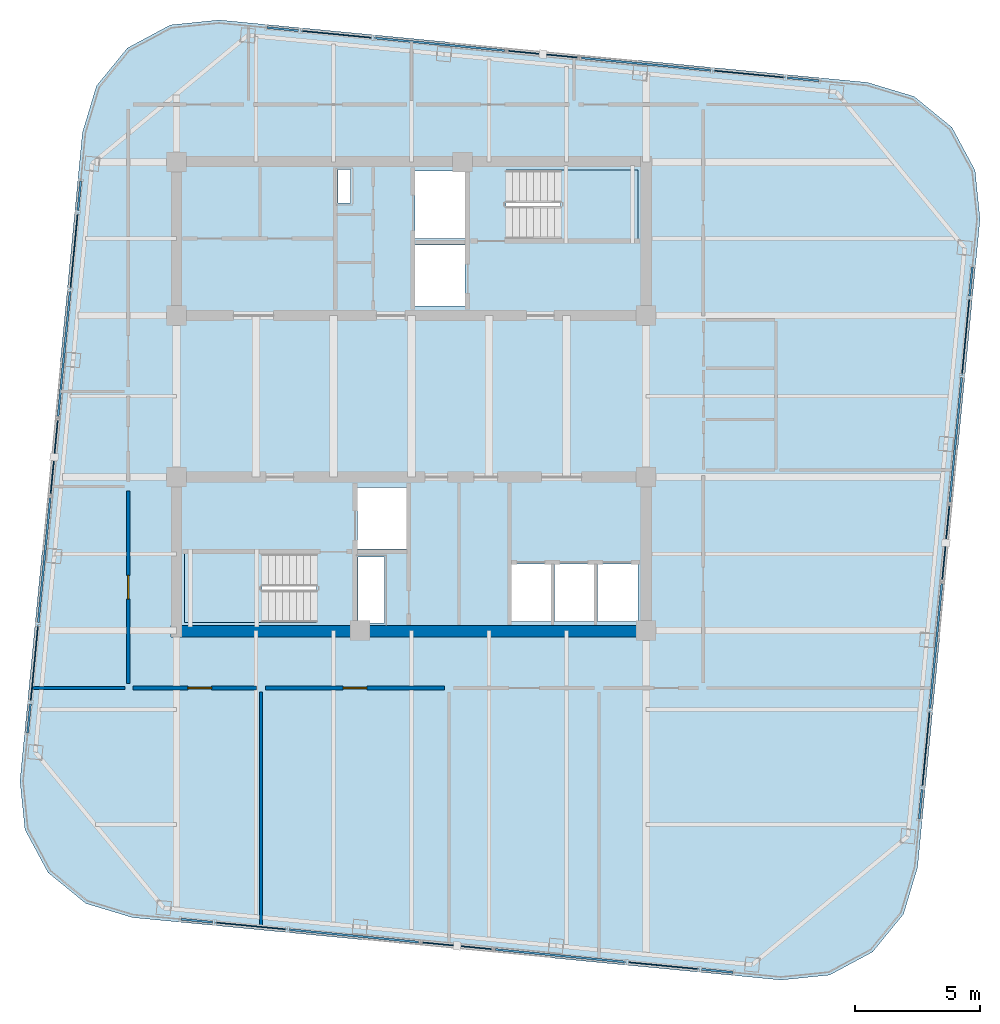
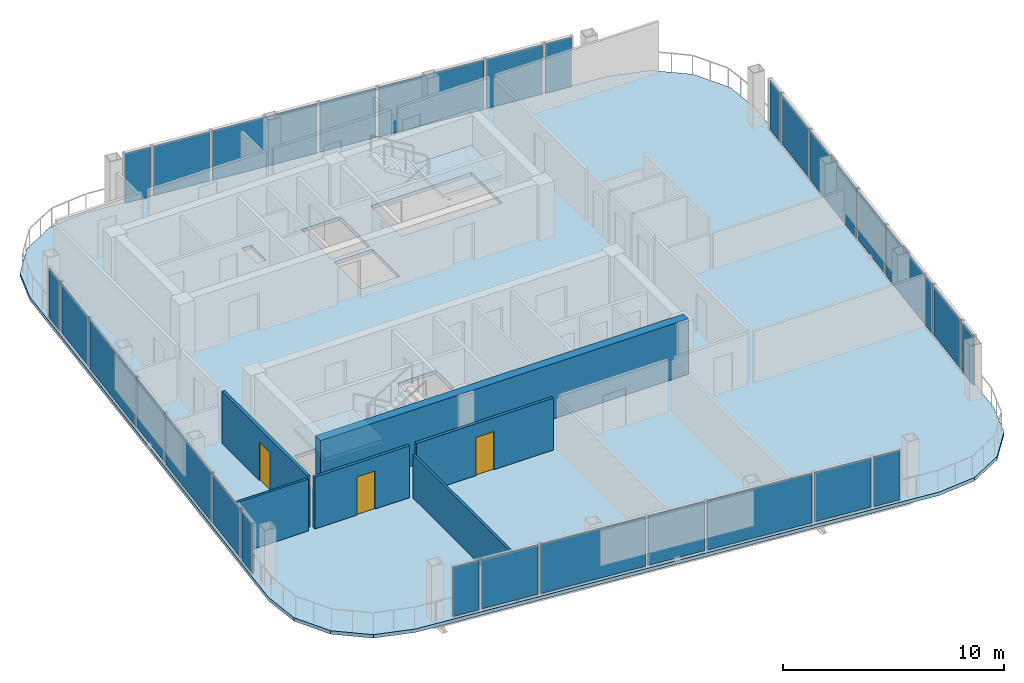
# One storey, part 16 of 23: 28 plates, 6 walls, 3 doors, 3 slabs, 3 openings, 30 elements without a shape of their own.
"""IFC4 building model written with IfcOpenShell, lengths in metres."""

from ifc_helpers import new_model, si_unit, direction, frame, frame_2d, origin, origin_2d, place, context, subcontext, project, spatial, polyline, rectangle, outline, extrude, material, layer, layer_set, type_object, element, fill, aggregate, save


model = new_model("IFC4")

# Units and contexts
model_context = context("Model", 3, precision=1e-05, world=origin(), true_north=direction((0.0, 1.0)))
body_context = subcontext(model_context, "Body", "Model", "MODEL_VIEW")
ifc_project = project(units=[si_unit("LENGTHUNIT", "METRE"), si_unit("AREAUNIT", "SQUARE_METRE"), si_unit("VOLUMEUNIT", "CUBIC_METRE"), si_unit("PLANEANGLEUNIT", "RADIAN"), si_unit("MASSUNIT", "GRAM", prefix="KILO")], contexts=[model_context])

# Site, building, storey
site_placement = place(None, origin())
site = spatial("IfcSite", under=ifc_project, at=site_placement, CompositionType="ELEMENT")
building_placement = place(site_placement, origin())
building = spatial("IfcBuilding", under=site, at=building_placement, Name="Qhalaya Broadcast Tower", CompositionType="ELEMENT")
storey_placement = place(building_placement, frame((0.0, 0.0, 261.14990234375)))
storey = spatial("IfcBuildingStorey", under=building, at=storey_placement, Name="L77", CompositionType="ELEMENT", Elevation=261.14990234375)

# Curtain wall, plate
ifc_material_1 = material(Name="Fired Architectural Terracotta", Category="masonry")
ifc_layer_1 = layer(ifc_material_1, 0.219970703125, Name="Fired Architectural Terracotta")
ifc_layer_set_1 = layer_set([ifc_layer_1], Name="Fired Architectural Terracotta")
curtain_wall_type_1 = type_object("IfcCurtainWallType", Name="Block-Cap Unitised Terracotta Spandrel Wall CW-07", PredefinedType="NOTDEFINED", material=ifc_layer_set_1)
curtain_wall_1_placement = place(storey_placement, origin())
curtain_wall_1 = element("IfcCurtainWall", 1, at=curtain_wall_1_placement, inside=storey, type_object=curtain_wall_type_1, Name="L77 Unitised Curtain Wall L77-CW-S1", PredefinedType="NOTDEFINED")
ifc_layer_2 = layer(ifc_material_1, 0.080078125, Name="Fired Architectural Terracotta")
ifc_layer_set_2 = layer_set([ifc_layer_2], Name="Fired Architectural Terracotta")
plate_type_1 = type_object("IfcPlateType", Name="Insulated Terracotta Spandrel Panel TSP-07", PredefinedType="CURTAIN_PANEL", material=ifc_layer_set_2)
plate_1_placement = place(storey_placement, frame((-8.564697265625, -20.337158203125, 0.0751953125), z_axis=(0.0, 0.0, 1.0), x_axis=(0.995396007008, -0.095847739846, 0.0)))
plate_1 = element("IfcPlate", 2, at=plate_1_placement, type_object=plate_type_1, Name="CW-07 panel 1.1", PredefinedType="CURTAIN_PANEL", context=body_context, shape_type="SweptSolid", body=[
    extrude(rectangle(XDim=1.27197265625, YDim=0.080078125, at=origin_2d()), origin(), (0.0, 0.0, 1.0), 2.7099609375),
])
aggregate(curtain_wall_1, [plate_1])

curtain_wall_2_placement = place(storey_placement, origin())
curtain_wall_2 = element("IfcCurtainWall", 3, at=curtain_wall_2_placement, inside=storey, type_object=curtain_wall_type_1, Name="L77 Unitised Curtain Wall L77-CW-S3", PredefinedType="NOTDEFINED")
plate_2_placement = place(storey_placement, frame((-2.2880859375, -20.941650390625, 0.0751953125), z_axis=(0.0, 0.0, 1.0), x_axis=(0.995396263968, -0.095845071223, 0.0)))
plate_2 = element("IfcPlate", 4, at=plate_2_placement, type_object=plate_type_1, Name="CW-07 panel 1.1", PredefinedType="CURTAIN_PANEL", context=body_context, shape_type="SweptSolid", body=[
    extrude(rectangle(XDim=5.193115234375, YDim=0.080078125, at=origin_2d()), origin(), (0.0, 0.0, 1.0), 2.7099609375),
])
aggregate(curtain_wall_2, [plate_2])

curtain_wall_3_placement = place(storey_placement, origin())
curtain_wall_3 = element("IfcCurtainWall", 5, at=curtain_wall_3_placement, inside=storey, type_object=curtain_wall_type_1, Name="L77 Unitised Curtain Wall L77-CW-S5", PredefinedType="NOTDEFINED")
plate_3_placement = place(storey_placement, frame((5.940673828125, -21.73388671875, 0.0751953125), z_axis=(0.0, 0.0, 1.0), x_axis=(0.995396263968, -0.095845071223, 0.0)))
plate_3 = element("IfcPlate", 6, at=plate_3_placement, type_object=plate_type_1, Name="CW-07 panel 1.1", PredefinedType="CURTAIN_PANEL", context=body_context, shape_type="SweptSolid", body=[
    extrude(rectangle(XDim=5.193115234375, YDim=0.080078125, at=origin_2d()), origin(), (0.0, 0.0, 1.0), 2.7099609375),
])
aggregate(curtain_wall_3, [plate_3])

curtain_wall_4_placement = place(storey_placement, origin())
curtain_wall_4 = element("IfcCurtainWall", 7, at=curtain_wall_4_placement, inside=storey, type_object=curtain_wall_type_1, Name="L77 Unitised Curtain Wall L77-CW-S7", PredefinedType="NOTDEFINED")
plate_4_placement = place(storey_placement, frame((12.21728515625, -22.338134765625, 0.0751953125), z_axis=(0.0, 0.0, 1.0), x_axis=(0.995395360914, -0.095854449411, 0.0)))
plate_4 = element("IfcPlate", 8, at=plate_4_placement, type_object=plate_type_1, Name="CW-07 panel 1.1", PredefinedType="CURTAIN_PANEL", context=body_context, shape_type="SweptSolid", body=[
    extrude(rectangle(XDim=1.27197265625, YDim=0.080078125, at=origin_2d()), origin(), (0.0, 0.0, 1.0), 2.7099609375),
])
aggregate(curtain_wall_4, [plate_4])

curtain_wall_5_placement = place(storey_placement, origin())
curtain_wall_5 = element("IfcCurtainWall", 9, at=curtain_wall_5_placement, inside=storey, type_object=curtain_wall_type_1, Name="L77 Unitised Curtain Wall L77-CW-E1", PredefinedType="NOTDEFINED")
plate_5_placement = place(storey_placement, frame((20.332763671875, -15.69140625, 0.0751953125), z_axis=(0.0, 0.0, 1.0), x_axis=(0.095857322215, 0.995395084264, 0.0)))
plate_5 = element("IfcPlate", 10, at=plate_5_placement, type_object=plate_type_1, Name="CW-07 panel 1.1", PredefinedType="CURTAIN_PANEL", context=body_context, shape_type="SweptSolid", body=[
    extrude(rectangle(XDim=1.177978515625, YDim=0.080078125, at=origin_2d()), origin(), (0.0, 0.0, 1.0), 2.7099609375),
])
aggregate(curtain_wall_5, [plate_5])

curtain_wall_6_placement = place(storey_placement, origin())
curtain_wall_6 = element("IfcCurtainWall", 11, at=curtain_wall_6_placement, inside=storey, type_object=curtain_wall_type_1, Name="L77 Unitised Curtain Wall L77-CW-E3", PredefinedType="NOTDEFINED")
plate_6_placement = place(storey_placement, frame((20.941650390625, -9.3681640625, 0.0751953125), z_axis=(0.0, 0.0, 1.0), x_axis=(0.095851335452, 0.995395660776, 0.0)))
plate_6 = element("IfcPlate", 12, at=plate_6_placement, type_object=plate_type_1, Name="CW-07 panel 1.1", PredefinedType="CURTAIN_PANEL", context=body_context, shape_type="SweptSolid", body=[
    extrude(rectangle(XDim=5.0068359375, YDim=0.080078125, at=origin_2d()), origin(), (0.0, 0.0, 1.0), 2.7099609375),
])
aggregate(curtain_wall_6, [plate_6])

curtain_wall_7_placement = place(storey_placement, origin())
curtain_wall_7 = element("IfcCurtainWall", 13, at=curtain_wall_7_placement, inside=storey, type_object=curtain_wall_type_1, Name="L77 Unitised Curtain Wall L77-CW-E5", PredefinedType="NOTDEFINED")
plate_7_placement = place(storey_placement, frame((21.73388671875, -1.13916015625, 0.0751953125), z_axis=(0.0, 0.0, 1.0), x_axis=(0.095849485357, 0.995395838929, 0.0)))
plate_7 = element("IfcPlate", 14, at=plate_7_placement, type_object=plate_type_1, Name="CW-07 panel 1.1", PredefinedType="CURTAIN_PANEL", context=body_context, shape_type="SweptSolid", body=[
    extrude(rectangle(XDim=5.007080078125, YDim=0.080078125, at=origin_2d()), origin(), (0.0, 0.0, 1.0), 2.7099609375),
])
aggregate(curtain_wall_7, [plate_7])

curtain_wall_8_placement = place(storey_placement, origin())
curtain_wall_8 = element("IfcCurtainWall", 15, at=curtain_wall_8_placement, inside=storey, type_object=curtain_wall_type_1, Name="L77 Unitised Curtain Wall L77-CW-E7", PredefinedType="NOTDEFINED")
plate_8_placement = place(storey_placement, frame((22.3427734375, 5.183837890625, 0.0751953125), z_axis=(0.0, 0.0, 1.0), x_axis=(0.095857322215, 0.995395084264, 0.0)))
plate_8 = element("IfcPlate", 16, at=plate_8_placement, type_object=plate_type_1, Name="CW-07 panel 1.1", PredefinedType="CURTAIN_PANEL", context=body_context, shape_type="SweptSolid", body=[
    extrude(rectangle(XDim=1.177978515625, YDim=0.080078125, at=origin_2d()), origin(), (0.0, 0.0, 1.0), 2.7099609375),
])
aggregate(curtain_wall_8, [plate_8])

curtain_wall_9_placement = place(storey_placement, origin())
curtain_wall_9 = element("IfcCurtainWall", 17, at=curtain_wall_9_placement, inside=storey, type_object=curtain_wall_type_1, Name="L77 Unitised Curtain Wall L77-CW-N1", PredefinedType="NOTDEFINED")
plate_9_placement = place(storey_placement, frame((15.64453125, 13.257080078125, 0.0751953125), z_axis=(0.0, 0.0, 1.0), x_axis=(-0.995396007008, 0.095847739846, 0.0)))
plate_9 = element("IfcPlate", 18, at=plate_9_placement, type_object=plate_type_1, Name="CW-07 panel 1.1", PredefinedType="CURTAIN_PANEL", context=body_context, shape_type="SweptSolid", body=[
    extrude(rectangle(XDim=1.27197265625, YDim=0.080078125, at=origin_2d()), origin(), (0.0, 0.0, 1.0), 2.7099609375),
])
aggregate(curtain_wall_9, [plate_9])

curtain_wall_10_placement = place(storey_placement, origin())
curtain_wall_10 = element("IfcCurtainWall", 19, at=curtain_wall_10_placement, inside=storey, type_object=curtain_wall_type_1, Name="L77 Unitised Curtain Wall L77-CW-N3", PredefinedType="NOTDEFINED")
plate_10_placement = place(storey_placement, frame((9.3681640625, 13.861572265625, 0.0751953125), z_axis=(0.0, 0.0, 1.0), x_axis=(-0.995396263968, 0.095845071223, 0.0)))
plate_10 = element("IfcPlate", 20, at=plate_10_placement, type_object=plate_type_1, Name="CW-07 panel 1.1", PredefinedType="CURTAIN_PANEL", context=body_context, shape_type="SweptSolid", body=[
    extrude(rectangle(XDim=5.193115234375, YDim=0.080078125, at=origin_2d()), origin(), (0.0, 0.0, 1.0), 2.7099609375),
])
aggregate(curtain_wall_10, [plate_10])

curtain_wall_11_placement = place(storey_placement, origin())
curtain_wall_11 = element("IfcCurtainWall", 21, at=curtain_wall_11_placement, inside=storey, type_object=curtain_wall_type_1, Name="L77 Unitised Curtain Wall L77-CW-N5", PredefinedType="NOTDEFINED")
plate_11_placement = place(storey_placement, frame((1.139404296875, 14.65380859375, 0.0751953125), z_axis=(0.0, 0.0, 1.0), x_axis=(-0.995396263968, 0.095845071223, 0.0)))
plate_11 = element("IfcPlate", 22, at=plate_11_placement, type_object=plate_type_1, Name="CW-07 panel 1.1", PredefinedType="CURTAIN_PANEL", context=body_context, shape_type="SweptSolid", body=[
    extrude(rectangle(XDim=5.193115234375, YDim=0.080078125, at=origin_2d()), origin(), (0.0, 0.0, 1.0), 2.7099609375),
])
aggregate(curtain_wall_11, [plate_11])

curtain_wall_12_placement = place(storey_placement, origin())
curtain_wall_12 = element("IfcCurtainWall", 23, at=curtain_wall_12_placement, inside=storey, type_object=curtain_wall_type_1, Name="L77 Unitised Curtain Wall L77-CW-N7", PredefinedType="NOTDEFINED")
plate_12_placement = place(storey_placement, frame((-5.13720703125, 15.25830078125, 0.0751953125), z_axis=(0.0, 0.0, 1.0), x_axis=(-0.995395360914, 0.095854449411, 0.0)))
plate_12 = element("IfcPlate", 24, at=plate_12_placement, type_object=plate_type_1, Name="CW-07 panel 1.1", PredefinedType="CURTAIN_PANEL", context=body_context, shape_type="SweptSolid", body=[
    extrude(rectangle(XDim=1.27197265625, YDim=0.080078125, at=origin_2d()), origin(), (0.0, 0.0, 1.0), 2.7099609375),
])
aggregate(curtain_wall_12, [plate_12])

curtain_wall_13_placement = place(storey_placement, origin())
curtain_wall_13 = element("IfcCurtainWall", 25, at=curtain_wall_13_placement, inside=storey, type_object=curtain_wall_type_1, Name="L77 Unitised Curtain Wall L77-CW-W1", PredefinedType="NOTDEFINED")
plate_13_placement = place(storey_placement, frame((-13.252685546875, 8.611328125, 0.0751953125), z_axis=(0.0, 0.0, 1.0), x_axis=(-0.095857322215, -0.995395084264, 0.0)))
plate_13 = element("IfcPlate", 26, at=plate_13_placement, type_object=plate_type_1, Name="CW-07 panel 1.1", PredefinedType="CURTAIN_PANEL", context=body_context, shape_type="SweptSolid", body=[
    extrude(rectangle(XDim=1.177978515625, YDim=0.080078125, at=origin_2d()), origin(), (0.0, 0.0, 1.0), 2.7099609375),
])
aggregate(curtain_wall_13, [plate_13])

curtain_wall_14_placement = place(storey_placement, origin())
curtain_wall_14 = element("IfcCurtainWall", 27, at=curtain_wall_14_placement, inside=storey, type_object=curtain_wall_type_1, Name="L77 Unitised Curtain Wall L77-CW-W3", PredefinedType="NOTDEFINED")
plate_14_placement = place(storey_placement, frame((-13.861572265625, 2.2880859375, 0.0751953125), z_axis=(0.0, 0.0, 1.0), x_axis=(-0.095851335452, -0.995395660776, 0.0)))
plate_14 = element("IfcPlate", 28, at=plate_14_placement, type_object=plate_type_1, Name="CW-07 panel 1.1", PredefinedType="CURTAIN_PANEL", context=body_context, shape_type="SweptSolid", body=[
    extrude(rectangle(XDim=5.0068359375, YDim=0.080078125, at=origin_2d()), origin(), (0.0, 0.0, 1.0), 2.7099609375),
])
aggregate(curtain_wall_14, [plate_14])

curtain_wall_15_placement = place(storey_placement, origin())
curtain_wall_15 = element("IfcCurtainWall", 29, at=curtain_wall_15_placement, inside=storey, type_object=curtain_wall_type_1, Name="L77 Unitised Curtain Wall L77-CW-W5", PredefinedType="NOTDEFINED")
plate_15_placement = place(storey_placement, frame((-14.65380859375, -5.940673828125, 0.0751953125), z_axis=(0.0, 0.0, 1.0), x_axis=(-0.095849485357, -0.995395838929, 0.0)))
plate_15 = element("IfcPlate", 30, at=plate_15_placement, type_object=plate_type_1, Name="CW-07 panel 1.1", PredefinedType="CURTAIN_PANEL", context=body_context, shape_type="SweptSolid", body=[
    extrude(rectangle(XDim=5.007080078125, YDim=0.080078125, at=origin_2d()), origin(), (0.0, 0.0, 1.0), 2.7099609375),
])
aggregate(curtain_wall_15, [plate_15])

curtain_wall_16_placement = place(storey_placement, origin())
curtain_wall_16 = element("IfcCurtainWall", 31, at=curtain_wall_16_placement, inside=storey, type_object=curtain_wall_type_1, Name="L77 Unitised Curtain Wall L77-CW-W7", PredefinedType="NOTDEFINED")
plate_16_placement = place(storey_placement, frame((-15.2626953125, -12.263916015625, 0.0751953125), z_axis=(0.0, 0.0, 1.0), x_axis=(-0.095857322215, -0.995395084264, 0.0)))
plate_16 = element("IfcPlate", 32, at=plate_16_placement, type_object=plate_type_1, Name="CW-07 panel 1.1", PredefinedType="CURTAIN_PANEL", context=body_context, shape_type="SweptSolid", body=[
    extrude(rectangle(XDim=1.177978515625, YDim=0.080078125, at=origin_2d()), origin(), (0.0, 0.0, 1.0), 2.7099609375),
])
aggregate(curtain_wall_16, [plate_16])

ifc_material_2 = material(Name="Solar-Control Low-E Triple Glazing", Category="glass")
ifc_layer_3 = layer(ifc_material_2, 0.219970703125, Name="Solar-Control Low-E Triple Glazing")
ifc_layer_set_3 = layer_set([ifc_layer_3], Name="Solar-Control Low-E Triple Glazing")
curtain_wall_type_2 = type_object("IfcCurtainWallType", Name="High-Altitude Upper-Shaft Triple Low-E Curtain Wall CW-04", PredefinedType="NOTDEFINED", material=ifc_layer_set_3)
curtain_wall_17_placement = place(storey_placement, origin())
curtain_wall_17 = element("IfcCurtainWall", 33, at=curtain_wall_17_placement, inside=storey, type_object=curtain_wall_type_2, Name="L77 Unitised Curtain Wall L77-CW-S2", PredefinedType="NOTDEFINED")
ifc_layer_4 = layer(ifc_material_2, 0.0419921875, Name="Solar-Control Low-E Triple Glazing")
ifc_layer_set_4 = layer_set([ifc_layer_4], Name="Solar-Control Low-E Triple Glazing")
plate_type_2 = type_object("IfcPlateType", Name="Solar-Control Curtain Glazing Panel GLP-04", PredefinedType="CURTAIN_PANEL", material=ifc_layer_set_4)
plate_17_placement = place(storey_placement, frame((-6.402099609375, -20.54541015625, 0.0751953125), z_axis=(0.0, 0.0, 1.0), x_axis=(0.99539466371, -0.095861689211, 0.0)))
plate_17 = element("IfcPlate", 34, at=plate_17_placement, type_object=plate_type_2, Name="CW-04 panel 1.1", PredefinedType="CURTAIN_PANEL", context=body_context, shape_type="SweptSolid", body=[
    extrude(rectangle(XDim=2.77294921875, YDim=0.0419921875, at=origin_2d()), origin(), (0.0, 0.0, 1.0), 2.7099609375),
])
aggregate(curtain_wall_17, [plate_17])

curtain_wall_18_placement = place(storey_placement, origin())
curtain_wall_18 = element("IfcCurtainWall", 35, at=curtain_wall_18_placement, inside=storey, type_object=curtain_wall_type_2, Name="L77 Unitised Curtain Wall L77-CW-S4", PredefinedType="NOTDEFINED")
plate_18_placement = place(storey_placement, frame((1.826171875, -21.337646484375, 0.0751953125), z_axis=(0.0, 0.0, 1.0), x_axis=(0.995397805992, -0.095829055234, 0.0)))
plate_18 = element("IfcPlate", 36, at=plate_18_placement, type_object=plate_type_2, Name="CW-04 panel 1.1", PredefinedType="CURTAIN_PANEL", context=body_context, shape_type="SweptSolid", body=[
    extrude(rectangle(XDim=2.77392578125, YDim=0.0419921875, at=origin_2d()), origin(), (0.0, 0.0, 1.0), 2.7099609375),
])
aggregate(curtain_wall_18, [plate_18])

curtain_wall_19_placement = place(storey_placement, origin())
curtain_wall_19 = element("IfcCurtainWall", 37, at=curtain_wall_19_placement, inside=storey, type_object=curtain_wall_type_2, Name="L77 Unitised Curtain Wall L77-CW-S6", PredefinedType="NOTDEFINED")
plate_19_placement = place(storey_placement, frame((10.0546875, -22.1298828125, 0.0751953125), z_axis=(0.0, 0.0, 1.0), x_axis=(0.995394978082, -0.095858424822, 0.0)))
plate_19 = element("IfcPlate", 38, at=plate_19_placement, type_object=plate_type_2, Name="CW-04 panel 1.1", PredefinedType="CURTAIN_PANEL", context=body_context, shape_type="SweptSolid", body=[
    extrude(rectangle(XDim=2.77294921875, YDim=0.0419921875, at=origin_2d()), origin(), (0.0, 0.0, 1.0), 2.7099609375),
])
aggregate(curtain_wall_19, [plate_19])

curtain_wall_20_placement = place(storey_placement, origin())
curtain_wall_20 = element("IfcCurtainWall", 39, at=curtain_wall_20_placement, inside=storey, type_object=curtain_wall_type_2, Name="L77 Unitised Curtain Wall L77-CW-E2", PredefinedType="NOTDEFINED")
plate_20_placement = place(storey_placement, frame((20.54541015625, -13.482666015625, 0.0751953125), z_axis=(0.0, 0.0, 1.0), x_axis=(0.095851485016, 0.995395646374, 0.0)))
plate_20 = element("IfcPlate", 40, at=plate_20_placement, type_object=plate_type_2, Name="CW-04 panel 1.1", PredefinedType="CURTAIN_PANEL", context=body_context, shape_type="SweptSolid", body=[
    extrude(rectangle(XDim=2.9599609375, YDim=0.0419921875, at=origin_2d()), origin(), (0.0, 0.0, 1.0), 2.7099609375),
])
aggregate(curtain_wall_20, [plate_20])

curtain_wall_21_placement = place(storey_placement, origin())
curtain_wall_21 = element("IfcCurtainWall", 41, at=curtain_wall_21_placement, inside=storey, type_object=curtain_wall_type_2, Name="L77 Unitised Curtain Wall L77-CW-E4", PredefinedType="NOTDEFINED")
plate_21_placement = place(storey_placement, frame((21.337646484375, -5.253662109375, 0.0751953125), z_axis=(0.0, 0.0, 1.0), x_axis=(0.095819626155, 0.995398713704, 0.0)))
plate_21 = element("IfcPlate", 42, at=plate_21_placement, type_object=plate_type_2, Name="CW-04 panel 1.1", PredefinedType="CURTAIN_PANEL", context=body_context, shape_type="SweptSolid", body=[
    extrude(rectangle(XDim=2.9599609375, YDim=0.0419921875, at=origin_2d()), origin(), (0.0, 0.0, 1.0), 2.7099609375),
])
aggregate(curtain_wall_21, [plate_21])

curtain_wall_22_placement = place(storey_placement, origin())
curtain_wall_22 = element("IfcCurtainWall", 43, at=curtain_wall_22_placement, inside=storey, type_object=curtain_wall_type_2, Name="L77 Unitised Curtain Wall L77-CW-E6", PredefinedType="NOTDEFINED")
plate_22_placement = place(storey_placement, frame((22.130126953125, 2.97509765625, 0.0751953125), z_axis=(0.0, 0.0, 1.0), x_axis=(0.095854552953, 0.995395350943, 0.0)))
plate_22 = element("IfcPlate", 44, at=plate_22_placement, type_object=plate_type_2, Name="CW-04 panel 1.1", PredefinedType="CURTAIN_PANEL", context=body_context, shape_type="SweptSolid", body=[
    extrude(rectangle(XDim=2.9599609375, YDim=0.0419921875, at=origin_2d()), origin(), (0.0, 0.0, 1.0), 2.7099609375),
])
aggregate(curtain_wall_22, [plate_22])

curtain_wall_23_placement = place(storey_placement, origin())
curtain_wall_23 = element("IfcCurtainWall", 45, at=curtain_wall_23_placement, inside=storey, type_object=curtain_wall_type_2, Name="L77 Unitised Curtain Wall L77-CW-N2", PredefinedType="NOTDEFINED")
plate_23_placement = place(storey_placement, frame((13.482177734375, 13.46533203125, 0.0751953125), z_axis=(0.0, 0.0, 1.0), x_axis=(-0.99539466371, 0.095861689211, 0.0)))
plate_23 = element("IfcPlate", 46, at=plate_23_placement, type_object=plate_type_2, Name="CW-04 panel 1.1", PredefinedType="CURTAIN_PANEL", context=body_context, shape_type="SweptSolid", body=[
    extrude(rectangle(XDim=2.77294921875, YDim=0.0419921875, at=origin_2d()), origin(), (0.0, 0.0, 1.0), 2.7099609375),
])
aggregate(curtain_wall_23, [plate_23])

curtain_wall_24_placement = place(storey_placement, origin())
curtain_wall_24 = element("IfcCurtainWall", 47, at=curtain_wall_24_placement, inside=storey, type_object=curtain_wall_type_2, Name="L77 Unitised Curtain Wall L77-CW-N4", PredefinedType="NOTDEFINED")
plate_24_placement = place(storey_placement, frame((5.253662109375, 14.2578125, 0.0751953125), z_axis=(0.0, 0.0, 1.0), x_axis=(-0.995397805992, 0.095829055234, 0.0)))
plate_24 = element("IfcPlate", 48, at=plate_24_placement, type_object=plate_type_2, Name="CW-04 panel 1.1", PredefinedType="CURTAIN_PANEL", context=body_context, shape_type="SweptSolid", body=[
    extrude(rectangle(XDim=2.77392578125, YDim=0.0419921875, at=origin_2d()), origin(), (0.0, 0.0, 1.0), 2.7099609375),
])
aggregate(curtain_wall_24, [plate_24])

curtain_wall_25_placement = place(storey_placement, origin())
curtain_wall_25 = element("IfcCurtainWall", 49, at=curtain_wall_25_placement, inside=storey, type_object=curtain_wall_type_2, Name="L77 Unitised Curtain Wall L77-CW-N6", PredefinedType="NOTDEFINED")
plate_25_placement = place(storey_placement, frame((-2.974609375, 15.050048828125, 0.0751953125), z_axis=(0.0, 0.0, 1.0), x_axis=(-0.995394978082, 0.095858424822, 0.0)))
plate_25 = element("IfcPlate", 50, at=plate_25_placement, type_object=plate_type_2, Name="CW-04 panel 1.1", PredefinedType="CURTAIN_PANEL", context=body_context, shape_type="SweptSolid", body=[
    extrude(rectangle(XDim=2.77294921875, YDim=0.0419921875, at=origin_2d()), origin(), (0.0, 0.0, 1.0), 2.7099609375),
])
aggregate(curtain_wall_25, [plate_25])

curtain_wall_26_placement = place(storey_placement, origin())
curtain_wall_26 = element("IfcCurtainWall", 51, at=curtain_wall_26_placement, inside=storey, type_object=curtain_wall_type_2, Name="L77 Unitised Curtain Wall L77-CW-W2", PredefinedType="NOTDEFINED")
plate_26_placement = place(storey_placement, frame((-13.46533203125, 6.402587890625, 0.0751953125), z_axis=(0.0, 0.0, 1.0), x_axis=(-0.095851485016, -0.995395646374, 0.0)))
plate_26 = element("IfcPlate", 52, at=plate_26_placement, type_object=plate_type_2, Name="CW-04 panel 1.1", PredefinedType="CURTAIN_PANEL", context=body_context, shape_type="SweptSolid", body=[
    extrude(rectangle(XDim=2.9599609375, YDim=0.0419921875, at=origin_2d()), origin(), (0.0, 0.0, 1.0), 2.7099609375),
])
aggregate(curtain_wall_26, [plate_26])

curtain_wall_27_placement = place(storey_placement, origin())
curtain_wall_27 = element("IfcCurtainWall", 53, at=curtain_wall_27_placement, inside=storey, type_object=curtain_wall_type_2, Name="L77 Unitised Curtain Wall L77-CW-W4", PredefinedType="NOTDEFINED")
plate_27_placement = place(storey_placement, frame((-14.2578125, -1.826171875, 0.0751953125), z_axis=(0.0, 0.0, 1.0), x_axis=(-0.095819626155, -0.995398713704, 0.0)))
plate_27 = element("IfcPlate", 54, at=plate_27_placement, type_object=plate_type_2, Name="CW-04 panel 1.1", PredefinedType="CURTAIN_PANEL", context=body_context, shape_type="SweptSolid", body=[
    extrude(rectangle(XDim=2.9599609375, YDim=0.0419921875, at=origin_2d()), origin(), (0.0, 0.0, 1.0), 2.7099609375),
])
aggregate(curtain_wall_27, [plate_27])

curtain_wall_28_placement = place(storey_placement, origin())
curtain_wall_28 = element("IfcCurtainWall", 55, at=curtain_wall_28_placement, inside=storey, type_object=curtain_wall_type_2, Name="L77 Unitised Curtain Wall L77-CW-W6", PredefinedType="NOTDEFINED")
plate_28_placement = place(storey_placement, frame((-15.050048828125, -10.05517578125, 0.0751953125), z_axis=(0.0, 0.0, 1.0), x_axis=(-0.095854552953, -0.995395350943, 0.0)))
plate_28 = element("IfcPlate", 56, at=plate_28_placement, type_object=plate_type_2, Name="CW-04 panel 1.1", PredefinedType="CURTAIN_PANEL", context=body_context, shape_type="SweptSolid", body=[
    extrude(rectangle(XDim=2.9599609375, YDim=0.0419921875, at=origin_2d()), origin(), (0.0, 0.0, 1.0), 2.7099609375),
])
aggregate(curtain_wall_28, [plate_28])

# Stair, slab
ifc_material_3 = material(Name="Concrete C40/50", Category="concrete")
stair_type = type_object("IfcStairType", Name="Protected Dogleg Core Stair 3150", PredefinedType="TWO_STRAIGHT_RUN_STAIR", material=ifc_material_3)
stair_1_placement = place(storey_placement, origin())
stair_1 = element("IfcStair", 57, at=stair_1_placement, inside=storey, type_object=stair_type, Name="L77 North Core Exit Stair ST-1", PredefinedType="TWO_STRAIGHT_RUN_STAIR")
ifc_layer_5 = layer(ifc_material_3, 0.199951171875, Name="Concrete C40/50")
ifc_layer_set_5 = layer_set([ifc_layer_5], Name="Concrete C40/50")
slab_type_1 = type_object("IfcSlabType", Name="Stair & Ramp Half-Landing Slab 200", PredefinedType="LANDING", material=ifc_layer_set_5)
slab_1_placement = place(storey_placement, frame((0.0, 0.0, 1.3251953125)))
slab_1 = element("IfcSlab", 58, at=slab_1_placement, type_object=slab_type_1, Name="ST-1 landing 1", PredefinedType="LANDING", context=body_context, shape_type="SweptSolid", body=[
    extrude(outline(polyline([(5.955078125, 6.8798828125), (9.050048828125, 6.8798828125), (9.050048828125, 9.639892578125), (5.955078125, 9.639892578125), (5.955078125, 6.8798828125)])), origin(), (0.0, 0.0, 1.0), 0.199951171875),
])
aggregate(stair_1, [slab_1])

stair_2_placement = place(storey_placement, origin())
stair_2 = element("IfcStair", 59, at=stair_2_placement, inside=storey, type_object=stair_type, Name="L77 South Core Exit Stair ST-2", PredefinedType="TWO_STRAIGHT_RUN_STAIR")
slab_2_placement = place(storey_placement, frame((0.0, 0.0, 1.3251953125)))
slab_2 = element("IfcSlab", 60, at=slab_2_placement, type_object=slab_type_1, Name="ST-2 landing 1", PredefinedType="LANDING", context=body_context, shape_type="SweptSolid", body=[
    extrude(outline(polyline([(-5.955078125, -5.679931640625), (-9.050048828125, -5.679931640625), (-9.050048828125, -8.43994140625), (-5.955078125, -8.43994140625), (-5.955078125, -5.679931640625)])), origin(), (0.0, 0.0, 1.0), 0.199951171875),
])
aggregate(stair_2, [slab_2])

# Slab
ifc_layer_6 = layer(ifc_material_3, 0.18994140625, Name="Concrete C40/50")
ifc_layer_set_6 = layer_set([ifc_layer_6], Name="Concrete C40/50")
slab_type_2 = type_object("IfcSlabType", Name="Upper Tower Composite Floor Slab 190", PredefinedType="FLOOR", material=ifc_layer_set_6)
slab_3_placement = place(storey_placement, frame((0.0, 0.0, -0.18994140625)))
element("IfcSlab", 61, at=slab_3_placement, inside=storey, type_object=slab_type_2, Name="L77 Main Structural Floor Slab", PredefinedType="FLOOR", context=body_context, shape_type="SweptSolid", body=[
    extrude(outline(polyline([(14.7548828125, -22.703125), (16.696044921875, -22.5078125), (18.41455078125, -21.584228515625), (19.64892578125, -20.073486328125), (20.211181640625, -18.205322265625), (22.703125, 7.6748046875), (22.5078125, 9.615966796875), (21.584228515625, 11.33447265625), (20.073486328125, 12.56884765625), (18.205322265625, 13.131103515625), (-7.6748046875, 15.623046875), (-9.615966796875, 15.427734375), (-11.33447265625, 14.50439453125), (-12.56884765625, 12.993408203125), (-13.131103515625, 11.12548828125), (-15.623046875, -14.7548828125), (-15.427734375, -16.696044921875), (-14.50439453125, -18.41455078125), (-12.993408203125, -19.64892578125), (-11.12548828125, -20.211181640625), (14.7548828125, -22.703125)]), holes=[polyline([(3.784912109375, 9.639892578125), (9.050048828125, 9.639892578125), (9.050048828125, 6.8798828125), (3.784912109375, 6.8798828125), (3.784912109375, 9.639892578125)]), polyline([(-3.784912109375, -8.43994140625), (-9.050048828125, -8.43994140625), (-9.050048828125, -5.679931640625), (-3.784912109375, -5.679931640625), (-3.784912109375, -8.43994140625)]), polyline([(0.14990234375, 6.64990234375), (2.14990234375, 6.64990234375), (2.14990234375, 4.199951171875), (0.14990234375, 4.199951171875), (0.14990234375, 6.64990234375)]), polyline([(0.14990234375, 9.60009765625), (2.14990234375, 9.60009765625), (2.14990234375, 6.89990234375), (0.14990234375, 6.89990234375), (0.14990234375, 9.60009765625)]), polyline([(-2.14990234375, -3.050048828125), (-0.14990234375, -3.050048828125), (-0.14990234375, -5.5), (-2.14990234375, -5.5), (-2.14990234375, -3.050048828125)]), polyline([(4.0, -6.10009765625), (5.60009765625, -6.10009765625), (5.60009765625, -8.39990234375), (4.0, -8.39990234375), (4.0, -6.10009765625)]), polyline([(5.719970703125, -6.10009765625), (7.320068359375, -6.10009765625), (7.320068359375, -8.39990234375), (5.719970703125, -8.39990234375), (5.719970703125, -6.10009765625)]), polyline([(7.43994140625, -6.10009765625), (9.0400390625, -6.10009765625), (9.0400390625, -8.39990234375), (7.43994140625, -8.39990234375), (7.43994140625, -6.10009765625)]), polyline([(-2.919921875, 9.659912109375), (-2.419921875, 9.659912109375), (-2.419921875, 8.320068359375), (-2.919921875, 8.320068359375), (-2.919921875, 9.659912109375)]), polyline([(-2.1201171875, -5.820068359375), (-1.080078125, -5.820068359375), (-1.080078125, -8.4599609375), (-2.1201171875, -8.4599609375), (-2.1201171875, -5.820068359375)])]), origin(), (0.0, 0.0, 1.0), 0.18994140625),
])

# Wall, opening, door
ifc_material_4 = material(Name="Gypsum Acoustic Partition")
ifc_layer_7 = layer(ifc_material_4, 0.14990234375, Name="Gypsum Acoustic Partition")
ifc_layer_set_7 = layer_set([ifc_layer_7], Name="Gypsum Acoustic Partition")
wall_type_1 = type_object("IfcWallType", Name="Corridor & Tenancy Acoustic Partition 150", PredefinedType="PARTITIONING", material=ifc_layer_set_7)
wall_1_placement = place(storey_placement, frame((-11.1201171875, -11.050048828125, 0.0), z_axis=(0.0, 0.0, 1.0), x_axis=(1.0, 0.0, 0.0)))
wall_1 = element("IfcWall", 62, at=wall_1_placement, inside=storey, type_object=wall_type_1, Name="L77 Partition Wall W-COR-05", PredefinedType="PARTITIONING", context=body_context, shape_type="SweptSolid", body=[
    extrude(rectangle(XDim=4.940185546875, YDim=0.14990234375, at=frame_2d((2.47021484375, 0.0))), origin(), (0.0, 0.0, 1.0), 2.860107421875),
])
opening_1_placement = place(wall_1_placement, frame((2.195068359375, 0.0, 0.0)))
opening_1 = element("IfcOpeningElement", 63, at=opening_1_placement, cuts=wall_1, Name="Opening D10", PredefinedType="OPENING", context=body_context, shape_type="SweptSolid", body=[
    extrude(rectangle(XDim=0.949951171875, YDim=2.10009765625, at=frame_2d((0.47509765625, 1.050048828125))), frame((0.0, 0.0869140625, 0.0), z_axis=(0.0, -1.0, 0.0), x_axis=(1.0, 0.0, 0.0)), (0.0, 0.0, 1.0), 0.173828125),
])
ifc_material_5 = material(Name="Timber Veneer Acoustic Door", Category="wood")
door_type = type_object("IfcDoorType", Name="Cellular Office & Edit Booth Door D10", OperationType="NOTDEFINED", PredefinedType="DOOR", material=ifc_material_5)
door_1_placement = place(opening_1_placement, origin())
door_1 = element("IfcDoor", 64, at=door_1_placement, inside=storey, type_object=door_type, Name="L77 Door D-RM05", OperationType="SINGLE_SWING_LEFT", OverallHeight=2.10009765625, OverallWidth=0.949951171875, PredefinedType="DOOR", context=body_context, shape_type="SweptSolid", body=[
    extrude(rectangle(XDim=0.949951171875, YDim=2.10009765625, at=frame_2d((0.47509765625, 1.050048828125))), frame((0.0, 0.02490234375, 0.0), z_axis=(0.0, -1.0, 0.0), x_axis=(1.0, 0.0, 0.0)), (0.0, 0.0, 1.0), 0.050048828125),
])
fill(opening_1, door_1)

wall_2_placement = place(storey_placement, frame((-5.820068359375, -11.050048828125, 0.0), z_axis=(0.0, 0.0, 1.0), x_axis=(1.0, 0.0, 0.0)))
wall_2 = element("IfcWall", 65, at=wall_2_placement, inside=storey, type_object=wall_type_1, Name="L77 Partition Wall W-COR-06", PredefinedType="PARTITIONING", context=body_context, shape_type="SweptSolid", body=[
    extrude(rectangle(XDim=7.14013671875, YDim=0.14990234375, at=frame_2d((3.570068359375, 0.0))), origin(), (0.0, 0.0, 1.0), 2.860107421875),
])
opening_2_placement = place(wall_2_placement, frame((3.094970703125, 0.0, 0.0)))
opening_2 = element("IfcOpeningElement", 66, at=opening_2_placement, cuts=wall_2, Name="Opening D10", PredefinedType="OPENING", context=body_context, shape_type="SweptSolid", body=[
    extrude(rectangle(XDim=0.949951171875, YDim=2.10009765625, at=frame_2d((0.47509765625, 1.050048828125))), frame((0.0, 0.0869140625, 0.0), z_axis=(0.0, -1.0, 0.0), x_axis=(1.0, 0.0, 0.0)), (0.0, 0.0, 1.0), 0.173828125),
])
door_2_placement = place(opening_2_placement, origin())
door_2 = element("IfcDoor", 67, at=door_2_placement, inside=storey, type_object=door_type, Name="L77 Door D-RM06", OperationType="SINGLE_SWING_RIGHT", OverallHeight=2.10009765625, OverallWidth=0.949951171875, PredefinedType="DOOR", context=body_context, shape_type="SweptSolid", body=[
    extrude(rectangle(XDim=0.949951171875, YDim=2.10009765625, at=frame_2d((0.47509765625, 1.050048828125))), frame((0.0, 0.02490234375, 0.0), z_axis=(0.0, -1.0, 0.0), x_axis=(1.0, 0.0, 0.0)), (0.0, 0.0, 1.0), 0.050048828125),
])
fill(opening_2, door_2)

wall_3_placement = place(storey_placement, frame((-11.300048828125, -3.179931640625, 0.0), z_axis=(0.0, 0.0, 1.0), x_axis=(0.0, -1.0, 0.0)))
wall_3 = element("IfcWall", 68, at=wall_3_placement, inside=storey, type_object=wall_type_1, Name="L77 Partition Wall W-COR-09", PredefinedType="PARTITIONING", context=body_context, shape_type="SweptSolid", body=[
    extrude(rectangle(XDim=7.690185546875, YDim=0.14990234375, at=frame_2d((3.84521484375, 0.0))), origin(), (0.0, 0.0, 1.0), 2.860107421875),
])
opening_3_placement = place(wall_3_placement, frame((3.3701171875, 0.0, 0.0)))
opening_3 = element("IfcOpeningElement", 69, at=opening_3_placement, cuts=wall_3, Name="Opening D10", PredefinedType="OPENING", context=body_context, shape_type="SweptSolid", body=[
    extrude(rectangle(XDim=0.949951171875, YDim=2.10009765625, at=frame_2d((0.47509765625, 1.050048828125))), frame((0.0, 0.0869140625, 0.0), z_axis=(0.0, -1.0, 0.0), x_axis=(1.0, 0.0, 0.0)), (0.0, 0.0, 1.0), 0.173828125),
])
door_3_placement = place(opening_3_placement, origin())
door_3 = element("IfcDoor", 70, at=door_3_placement, inside=storey, type_object=door_type, Name="L77 Door D-RM09", OperationType="SINGLE_SWING_LEFT", OverallHeight=2.10009765625, OverallWidth=0.949951171875, PredefinedType="DOOR", context=body_context, shape_type="SweptSolid", body=[
    extrude(rectangle(XDim=0.949951171875, YDim=2.10009765625, at=frame_2d((0.47509765625, 1.050048828125))), frame((0.0, 0.02490234375, 0.0), z_axis=(0.0, -1.0, 0.0), x_axis=(1.0, 0.0, 0.0)), (0.0, 0.0, 1.0), 0.050048828125),
])
fill(opening_3, door_3)

# Walls
ifc_layer_8 = layer(ifc_material_4, 0.1201171875, Name="Gypsum Acoustic Partition")
ifc_layer_set_8 = layer_set([ifc_layer_8], Name="Gypsum Acoustic Partition")
wall_type_2 = type_object("IfcWallType", Name="Office, Booth & Sanitary Partition 120", PredefinedType="PARTITIONING", material=ifc_layer_set_8)
wall_4_placement = place(storey_placement, frame((-15.145751953125, -11.050048828125, 0.0), z_axis=(0.0, 0.0, 1.0), x_axis=(1.0, 0.0, 0.0)))
element("IfcWall", 71, at=wall_4_placement, inside=storey, type_object=wall_type_2, Name="L77 Partition Wall W-BNDW2", PredefinedType="PARTITIONING", context=body_context, shape_type="SweptSolid", body=[
    extrude(rectangle(XDim=3.705810546875, YDim=0.1201171875, at=frame_2d((1.85302734375, 0.0))), origin(), (0.0, 0.0, 1.0), 2.860107421875),
])
wall_5_placement = place(storey_placement, frame((-6.0, -20.583984375, 0.0), z_axis=(0.0, 0.0, 1.0), x_axis=(0.0, 1.0, 0.0)))
element("IfcWall", 72, at=wall_5_placement, inside=storey, type_object=wall_type_2, Name="L77 Partition Wall W-DIVS1", PredefinedType="PARTITIONING", context=body_context, shape_type="SweptSolid", body=[
    extrude(rectangle(XDim=9.3740234375, YDim=0.1201171875, at=frame_2d((4.68701171875, 0.0))), origin(), (0.0, 0.0, 1.0), 2.381103515625),
])
ifc_material_6 = material(Name="Concrete C50/60", Category="concrete")
ifc_layer_9 = layer(ifc_material_6, 0.449951171875, Name="Concrete C50/60")
ifc_layer_set_9 = layer_set([ifc_layer_9], Name="Concrete C50/60")
wall_type_3 = type_object("IfcWallType", Name="Upper Split-Core Shear Wall 450", PredefinedType="SHEAR", material=ifc_layer_set_9)
wall_6_placement = place(storey_placement, frame((-9.60009765625, -8.77490234375, 0.0), z_axis=(0.0, 0.0, 1.0), x_axis=(1.0, 0.0, 0.0)))
element("IfcWall", 73, at=wall_6_placement, inside=storey, type_object=wall_type_3, Name="L77 Split-Core Shear Wall CW-SS", PredefinedType="SHEAR", context=body_context, shape_type="SweptSolid", body=[
    extrude(rectangle(XDim=19.2001953125, YDim=0.449951171875, at=frame_2d((9.60009765625, 0.0))), origin(), (0.0, 0.0, 1.0), 3.050048828125),
])

save(model, "model.ifc")
